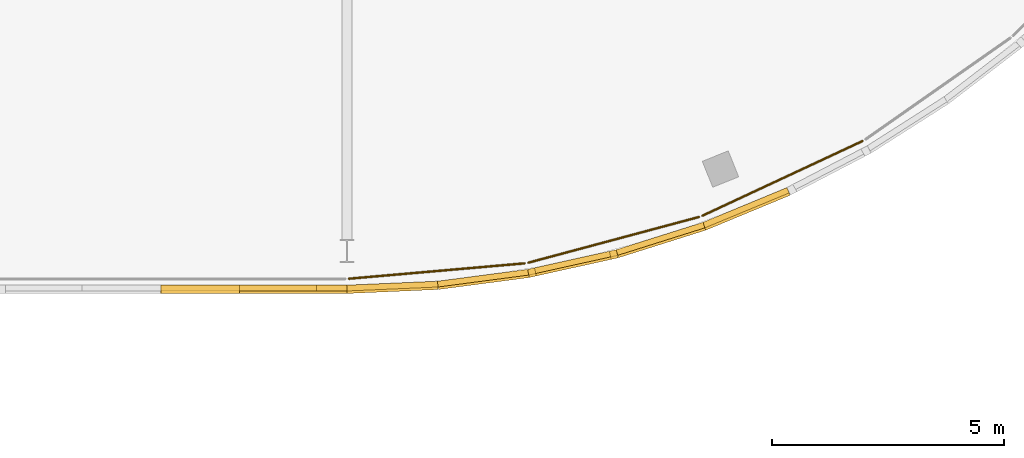
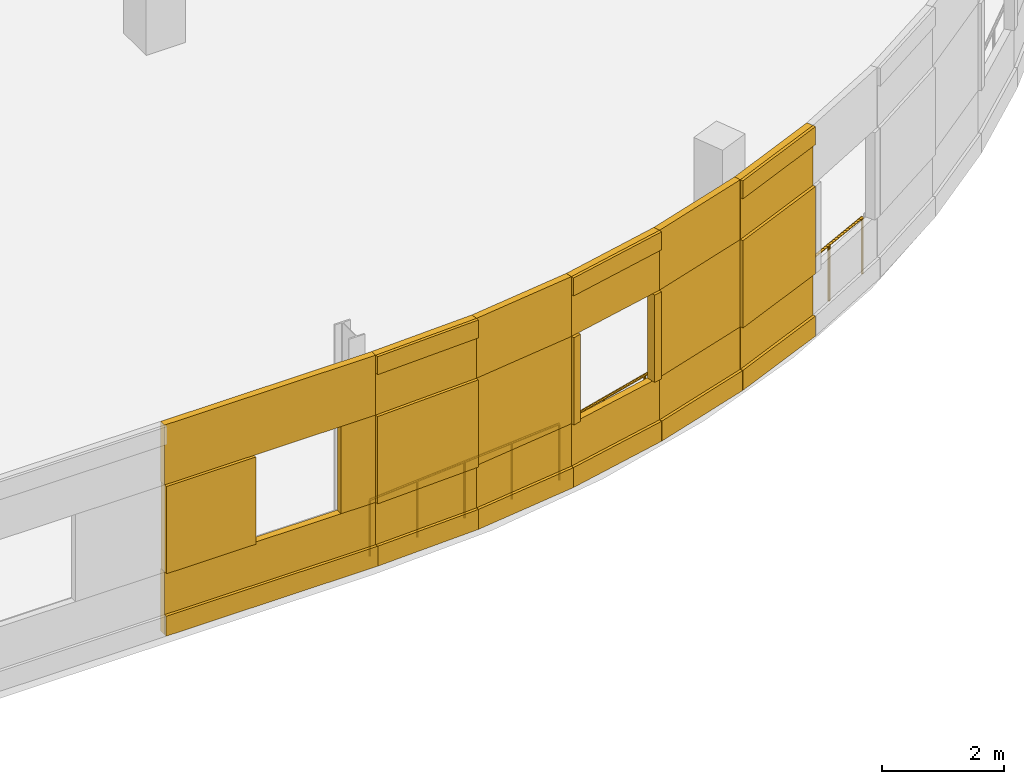
# One storey, part 82 of 88: 29 coverings, 3 railings.
"""IFC4 building model written with IfcOpenShell, lengths in metres."""

from ifc_helpers import new_model, si_unit, direction, frame, origin, origin_2d, place, context, subcontext, project, spatial, rectangle, circle, extrude, material, layer, layer_set, type_object, element, save


model = new_model("IFC4")

# Units and contexts
model_context = context("Model", 3, precision=1e-05, world=origin(), true_north=direction((0.0, 1.0)))
body_context = subcontext(model_context, "Body", "Model", "MODEL_VIEW")
ifc_project = project(units=[si_unit("LENGTHUNIT", "METRE"), si_unit("AREAUNIT", "SQUARE_METRE"), si_unit("VOLUMEUNIT", "CUBIC_METRE"), si_unit("PLANEANGLEUNIT", "RADIAN"), si_unit("MASSUNIT", "GRAM", prefix="KILO")], contexts=[model_context])

# Site, building, storey
site_placement = place(None, origin())
site = spatial("IfcSite", under=ifc_project, at=site_placement, CompositionType="ELEMENT")
building_placement = place(site_placement, origin())
building = spatial("IfcBuilding", under=site, at=building_placement, Name="Deido Ridge Mobility Hub", CompositionType="ELEMENT")
storey_placement = place(building_placement, frame((0.0, 0.0, 16.800048828125)))
storey = spatial("IfcBuildingStorey", under=building, at=storey_placement, Name="L04", CompositionType="ELEMENT", Elevation=16.800048828125)

# Coverings
ifc_material_1 = material(Name="Fired clay brick masonry", Category="masonry")
ifc_layer = layer(ifc_material_1, 0.114990234375, Name="Fired clay brick masonry")
ifc_layer_set = layer_set([ifc_layer], Name="Fired clay brick masonry")
covering_type = type_object("IfcCoveringType", Name="COV-BRK-SCREEN-115", PredefinedType="CLADDING", material=ifc_layer_set)
covering_1_placement = place(storey_placement, frame((117.978271484375, 81.09521484375, 0.0), z_axis=(0.0, 0.0, 1.0), x_axis=(0.999048982732, 0.043601950678, 0.0)))
element("IfcCovering", 1, at=covering_1_placement, inside=storey, type_object=covering_type, Name="Open brickwork spandrel course BKS1 (L04)", PredefinedType="CLADDING", context=body_context, shape_type="SweptSolid", body=[
    extrude(rectangle(XDim=1.9619140625, YDim=0.125, at=origin_2d()), origin(), (0.0, 0.0, 1.0), 1.25),
])
covering_2_placement = place(storey_placement, frame((117.9794921875, 81.067626953125, 0.0), z_axis=(0.0, 0.0, 1.0), x_axis=(0.999048982732, 0.043601950678, 0.0)))
element("IfcCovering", 2, at=covering_2_placement, inside=storey, type_object=covering_type, Name="Raised brick relief belt BKS1 (L04)", PredefinedType="CLADDING", context=body_context, shape_type="SweptSolid", body=[
    extrude(rectangle(XDim=1.9619140625, YDim=0.179931640625, at=origin_2d()), origin(), (0.0, 0.0, 1.0), 0.39990234375),
])
covering_3_placement = place(storey_placement, frame((117.978271484375, 81.09521484375, 3.0), z_axis=(0.0, 0.0, 1.0), x_axis=(0.999048982732, 0.043601950678, 0.0)))
element("IfcCovering", 3, at=covering_3_placement, inside=storey, type_object=covering_type, Name="Open brickwork lintel course BKS1 (L04)", PredefinedType="CLADDING", context=body_context, shape_type="SweptSolid", body=[
    extrude(rectangle(XDim=1.9619140625, YDim=0.125, at=origin_2d()), origin(), (0.0, 0.0, 1.0), 1.199951171875),
])
covering_4_placement = place(storey_placement, frame((117.9794921875, 81.067626953125, 3.83984375), z_axis=(0.0, 0.0, 1.0), x_axis=(0.999048982732, 0.043601950678, 0.0)))
element("IfcCovering", 4, at=covering_4_placement, inside=storey, type_object=covering_type, Name="Raised brick relief cornice BKS1 (L04)", PredefinedType="CLADDING", context=body_context, shape_type="SweptSolid", body=[
    extrude(rectangle(XDim=1.9619140625, YDim=0.179931640625, at=origin_2d()), origin(), (0.0, 0.0, 1.0), 0.360107421875),
])
covering_5_placement = place(storey_placement, frame((117.9794921875, 81.067626953125, 1.25), z_axis=(0.0, 0.0, 1.0), x_axis=(0.999048982732, 0.043601950678, 0.0)))
element("IfcCovering", 5, at=covering_5_placement, inside=storey, type_object=covering_type, Name="Curved raised brickwork pier BKS1 (L04)", PredefinedType="CLADDING", context=body_context, shape_type="SweptSolid", body=[
    extrude(rectangle(XDim=1.9619140625, YDim=0.179931640625, at=origin_2d()), origin(), (0.0, 0.0, 1.0), 1.75),
])
covering_6_placement = place(storey_placement, frame((119.92724609375, 81.265625, 0.0), z_axis=(0.0, 0.0, 1.0), x_axis=(0.991442583111, 0.130543496177, 0.0)))
element("IfcCovering", 6, at=covering_6_placement, inside=storey, type_object=covering_type, Name="Open brickwork spandrel course BKS1 (L04)", PredefinedType="CLADDING", context=body_context, shape_type="SweptSolid", body=[
    extrude(rectangle(XDim=1.9619140625, YDim=0.125, at=origin_2d()), origin(), (0.0, 0.0, 1.0), 1.25),
])
covering_7_placement = place(storey_placement, frame((119.930908203125, 81.23828125, 0.0), z_axis=(0.0, 0.0, 1.0), x_axis=(0.991442583111, 0.130543496177, 0.0)))
element("IfcCovering", 7, at=covering_7_placement, inside=storey, type_object=covering_type, Name="Raised brick relief belt BKS1 (L04)", PredefinedType="CLADDING", context=body_context, shape_type="SweptSolid", body=[
    extrude(rectangle(XDim=1.9619140625, YDim=0.179931640625, at=origin_2d()), origin(), (0.0, 0.0, 1.0), 0.39990234375),
])
covering_8_placement = place(storey_placement, frame((119.92724609375, 81.265625, 3.0), z_axis=(0.0, 0.0, 1.0), x_axis=(0.991442583111, 0.130543496177, 0.0)))
element("IfcCovering", 8, at=covering_8_placement, inside=storey, type_object=covering_type, Name="Open brickwork lintel course BKS1 (L04)", PredefinedType="CLADDING", context=body_context, shape_type="SweptSolid", body=[
    extrude(rectangle(XDim=1.9619140625, YDim=0.125, at=origin_2d()), origin(), (0.0, 0.0, 1.0), 1.199951171875),
])
covering_9_placement = place(storey_placement, frame((119.92724609375, 81.265625, 1.25), z_axis=(0.0, 0.0, 1.0), x_axis=(0.991442583111, 0.130543496177, 0.0)))
element("IfcCovering", 9, at=covering_9_placement, inside=storey, type_object=covering_type, Name="Curved raised brickwork pier BKS1 (L04)", PredefinedType="CLADDING", context=body_context, shape_type="SweptSolid", body=[
    extrude(rectangle(XDim=1.9619140625, YDim=0.125, at=origin_2d()), origin(), (0.0, 0.0, 1.0), 1.75),
])
covering_10_placement = place(storey_placement, frame((121.85400390625, 81.60546875, 0.0), z_axis=(0.0, 0.0, 1.0), x_axis=(0.976292229387, 0.216456653485, 0.0)))
element("IfcCovering", 10, at=covering_10_placement, inside=storey, type_object=covering_type, Name="Open brickwork spandrel course BKS1 (L04)", PredefinedType="CLADDING", context=body_context, shape_type="SweptSolid", body=[
    extrude(rectangle(XDim=1.9619140625, YDim=0.125, at=origin_2d()), origin(), (0.0, 0.0, 1.0), 1.25),
])
covering_11_placement = place(storey_placement, frame((121.85986328125, 81.57861328125, 0.0), z_axis=(0.0, 0.0, 1.0), x_axis=(0.976292229387, 0.216456653485, 0.0)))
element("IfcCovering", 11, at=covering_11_placement, inside=storey, type_object=covering_type, Name="Raised brick relief belt BKS1 (L04)", PredefinedType="CLADDING", context=body_context, shape_type="SweptSolid", body=[
    extrude(rectangle(XDim=1.9619140625, YDim=0.179931640625, at=origin_2d()), origin(), (0.0, 0.0, 1.0), 0.39990234375),
])
covering_12_placement = place(storey_placement, frame((121.85400390625, 81.60546875, 3.0), z_axis=(0.0, 0.0, 1.0), x_axis=(0.976292229387, 0.216456653485, 0.0)))
element("IfcCovering", 12, at=covering_12_placement, inside=storey, type_object=covering_type, Name="Open brickwork lintel course BKS1 (L04)", PredefinedType="CLADDING", context=body_context, shape_type="SweptSolid", body=[
    extrude(rectangle(XDim=1.9619140625, YDim=0.125, at=origin_2d()), origin(), (0.0, 0.0, 1.0), 1.199951171875),
])
covering_13_placement = place(storey_placement, frame((121.85986328125, 81.57861328125, 3.83984375), z_axis=(0.0, 0.0, 1.0), x_axis=(0.976292229387, 0.216456653485, 0.0)))
element("IfcCovering", 13, at=covering_13_placement, inside=storey, type_object=covering_type, Name="Raised brick relief cornice BKS1 (L04)", PredefinedType="CLADDING", context=body_context, shape_type="SweptSolid", body=[
    extrude(rectangle(XDim=1.9619140625, YDim=0.179931640625, at=origin_2d()), origin(), (0.0, 0.0, 1.0), 0.360107421875),
])
for number, where, z_axis, x_axis, name in (
    (14, (120.980224609375, 81.383544921875, 1.25), (0.0, 0.0, 1.0), (0.976292229387, 0.216456653485, 0.0), "Curved brick jamb nib BKS1 (L04)"),
    (15, (122.739501953125, 81.773681640625, 1.25), (0.0, 0.0, 1.0), (0.976292229387, 0.216456653485, 0.0), "Curved brick jamb nib BKS1 (L04)"),
):
    element("IfcCovering", number, at=place(storey_placement, frame(where, z_axis=z_axis, x_axis=x_axis)), inside=storey, type_object=covering_type, Name=name, PredefinedType="CLADDING", context=body_context, shape_type="SweptSolid", body=[
        extrude(rectangle(XDim=0.152099609375, YDim=0.179931640625, at=origin_2d()), origin(), (0.0, 0.0, 1.0), 1.75),
    ])
covering_14_placement = place(storey_placement, frame((123.74365234375, 82.11181640625, 0.0), z_axis=(0.0, 0.0, 1.0), x_axis=(0.95372744678, 0.300672508319, 0.0)))
element("IfcCovering", 16, at=covering_14_placement, inside=storey, type_object=covering_type, Name="Open brickwork spandrel course BKS1 (L04)", PredefinedType="CLADDING", context=body_context, shape_type="SweptSolid", body=[
    extrude(rectangle(XDim=1.9619140625, YDim=0.125, at=origin_2d()), origin(), (0.0, 0.0, 1.0), 1.25),
])
covering_15_placement = place(storey_placement, frame((123.751953125, 82.085693359375, 0.0), z_axis=(0.0, 0.0, 1.0), x_axis=(0.95372744678, 0.300672508319, 0.0)))
element("IfcCovering", 17, at=covering_15_placement, inside=storey, type_object=covering_type, Name="Raised brick relief belt BKS1 (L04)", PredefinedType="CLADDING", context=body_context, shape_type="SweptSolid", body=[
    extrude(rectangle(XDim=1.9619140625, YDim=0.179931640625, at=origin_2d()), origin(), (0.0, 0.0, 1.0), 0.39990234375),
])
covering_16_placement = place(storey_placement, frame((123.74365234375, 82.11181640625, 3.0), z_axis=(0.0, 0.0, 1.0), x_axis=(0.95372744678, 0.300672508319, 0.0)))
element("IfcCovering", 18, at=covering_16_placement, inside=storey, type_object=covering_type, Name="Open brickwork lintel course BKS1 (L04)", PredefinedType="CLADDING", context=body_context, shape_type="SweptSolid", body=[
    extrude(rectangle(XDim=1.9619140625, YDim=0.125, at=origin_2d()), origin(), (0.0, 0.0, 1.0), 1.199951171875),
])
covering_17_placement = place(storey_placement, frame((123.74365234375, 82.11181640625, 1.25), z_axis=(0.0, 0.0, 1.0), x_axis=(0.95372744678, 0.300672508319, 0.0)))
element("IfcCovering", 19, at=covering_17_placement, inside=storey, type_object=covering_type, Name="Curved raised brickwork pier BKS1 (L04)", PredefinedType="CLADDING", context=body_context, shape_type="SweptSolid", body=[
    extrude(rectangle(XDim=1.9619140625, YDim=0.125, at=origin_2d()), origin(), (0.0, 0.0, 1.0), 1.75),
])
covering_18_placement = place(storey_placement, frame((125.58203125, 82.781005859375, 0.0), z_axis=(0.0, 0.0, 1.0), x_axis=(0.923872853285, 0.382699557047, 0.0)))
element("IfcCovering", 20, at=covering_18_placement, inside=storey, type_object=covering_type, Name="Open brickwork spandrel course BKS1 (L04)", PredefinedType="CLADDING", context=body_context, shape_type="SweptSolid", body=[
    extrude(rectangle(XDim=1.9619140625, YDim=0.125, at=origin_2d()), origin(), (0.0, 0.0, 1.0), 1.25),
])
covering_19_placement = place(storey_placement, frame((125.5927734375, 82.755615234375, 0.0), z_axis=(0.0, 0.0, 1.0), x_axis=(0.923872853285, 0.382699557047, 0.0)))
element("IfcCovering", 21, at=covering_19_placement, inside=storey, type_object=covering_type, Name="Raised brick relief belt BKS1 (L04)", PredefinedType="CLADDING", context=body_context, shape_type="SweptSolid", body=[
    extrude(rectangle(XDim=1.9619140625, YDim=0.179931640625, at=origin_2d()), origin(), (0.0, 0.0, 1.0), 0.39990234375),
])
covering_20_placement = place(storey_placement, frame((125.58203125, 82.781005859375, 3.0), z_axis=(0.0, 0.0, 1.0), x_axis=(0.923872853285, 0.382699557047, 0.0)))
element("IfcCovering", 22, at=covering_20_placement, inside=storey, type_object=covering_type, Name="Open brickwork lintel course BKS1 (L04)", PredefinedType="CLADDING", context=body_context, shape_type="SweptSolid", body=[
    extrude(rectangle(XDim=1.9619140625, YDim=0.125, at=origin_2d()), origin(), (0.0, 0.0, 1.0), 1.199951171875),
])
covering_21_placement = place(storey_placement, frame((125.5927734375, 82.755615234375, 3.83984375), z_axis=(0.0, 0.0, 1.0), x_axis=(0.923872853285, 0.382699557047, 0.0)))
element("IfcCovering", 23, at=covering_21_placement, inside=storey, type_object=covering_type, Name="Raised brick relief cornice BKS1 (L04)", PredefinedType="CLADDING", context=body_context, shape_type="SweptSolid", body=[
    extrude(rectangle(XDim=1.9619140625, YDim=0.179931640625, at=origin_2d()), origin(), (0.0, 0.0, 1.0), 0.360107421875),
])
covering_22_placement = place(storey_placement, frame((125.5927734375, 82.755615234375, 1.25), z_axis=(0.0, 0.0, 1.0), x_axis=(0.923872853285, 0.382699557047, 0.0)))
element("IfcCovering", 24, at=covering_22_placement, inside=storey, type_object=covering_type, Name="Curved raised brickwork pier BKS1 (L04)", PredefinedType="CLADDING", context=body_context, shape_type="SweptSolid", body=[
    extrude(rectangle(XDim=1.9619140625, YDim=0.179931640625, at=origin_2d()), origin(), (0.0, 0.0, 1.0), 1.75),
])
covering_23_placement = place(storey_placement, frame((115.0, 81.052490234375, 0.0), z_axis=(0.0, 0.0, 1.0), x_axis=(1.0, 0.0, 0.0)))
element("IfcCovering", 25, at=covering_23_placement, inside=storey, type_object=covering_type, Name="Open brickwork spandrel course BKS1 (L04)", PredefinedType="CLADDING", context=body_context, shape_type="SweptSolid", body=[
    extrude(rectangle(XDim=4.01611328125, YDim=0.125, at=origin_2d()), origin(), (0.0, 0.0, 1.0), 1.25),
])
covering_24_placement = place(storey_placement, frame((115.0, 81.02490234375, 0.0), z_axis=(0.0, 0.0, 1.0), x_axis=(1.0, 0.0, 0.0)))
element("IfcCovering", 26, at=covering_24_placement, inside=storey, type_object=covering_type, Name="Raised brick relief belt BKS1 (L04)", PredefinedType="CLADDING", context=body_context, shape_type="SweptSolid", body=[
    extrude(rectangle(XDim=4.01611328125, YDim=0.179931640625, at=origin_2d()), origin(), (0.0, 0.0, 1.0), 0.39990234375),
])
covering_25_placement = place(storey_placement, frame((115.0, 81.052490234375, 3.0), z_axis=(0.0, 0.0, 1.0), x_axis=(1.0, 0.0, 0.0)))
element("IfcCovering", 27, at=covering_25_placement, inside=storey, type_object=covering_type, Name="Open brickwork lintel course BKS1 (L04)", PredefinedType="CLADDING", context=body_context, shape_type="SweptSolid", body=[
    extrude(rectangle(XDim=4.01611328125, YDim=0.125, at=origin_2d()), origin(), (0.0, 0.0, 1.0), 1.199951171875),
])
covering_26_placement = place(storey_placement, frame((113.847412109375, 81.02490234375, 1.25), z_axis=(0.0, 0.0, 1.0), x_axis=(1.0, 0.0, 0.0)))
element("IfcCovering", 28, at=covering_26_placement, inside=storey, type_object=covering_type, Name="Open brickwork pier BKS1 (L04)", PredefinedType="CLADDING", context=body_context, shape_type="SweptSolid", body=[
    extrude(rectangle(XDim=1.695068359375, YDim=0.179931640625, at=origin_2d()), origin(), (0.0, 0.0, 1.0), 1.75),
])
covering_27_placement = place(storey_placement, frame((116.672607421875, 81.052490234375, 1.25), z_axis=(0.0, 0.0, 1.0), x_axis=(1.0, 0.0, 0.0)))
element("IfcCovering", 29, at=covering_27_placement, inside=storey, type_object=covering_type, Name="Open brickwork pier BKS1 (L04)", PredefinedType="CLADDING", context=body_context, shape_type="SweptSolid", body=[
    extrude(rectangle(XDim=0.655029296875, YDim=0.125, at=origin_2d()), origin(), (0.0, 0.0, 1.0), 1.75),
])

# Railings
ifc_material_2 = material(Name="Galvanised steel work", Category="steel")
railing_type = type_object("IfcRailingType", Name="RL-GRD-EXT-1150", PredefinedType="GUARDRAIL", material=ifc_material_2)
railing_1_placement = place(storey_placement, frame((117.039794921875, 81.25341796875, 0.0)))
element("IfcRailing", 30, at=railing_1_placement, inside=storey, type_object=railing_type, Name="Parking drum perimeter guard (L04)", PredefinedType="GUARDRAIL", context=body_context, shape_type="SweptSolid", body=[
    extrude(circle(Radius=0.02392578125, at=origin_2d()), frame((0.0, 0.0, 1.1259765625), z_axis=(0.996195112607, 0.08715100469, 0.0), x_axis=(-0.08715100469, 0.996195112607, 0.0)), (0.0, 0.0, 1.0), 3.798583984375),
    extrude(circle(Radius=0.02099609375, at=origin_2d()), origin(), (0.0, 0.0, 1.0), 1.101806640625),
    extrude(circle(Radius=0.02099609375, at=origin_2d()), frame((0.946044921875, 0.082763671875, 0.0)), (0.0, 0.0, 1.0), 1.101806640625),
    extrude(circle(Radius=0.02099609375, at=origin_2d()), frame((1.89208984375, 0.16552734375, 0.0)), (0.0, 0.0, 1.0), 1.101806640625),
    extrude(circle(Radius=0.02099609375, at=origin_2d()), frame((2.838134765625, 0.248291015625, 0.0)), (0.0, 0.0, 1.0), 1.101806640625),
    extrude(circle(Radius=0.02099609375, at=origin_2d()), frame((3.7841796875, 0.3310546875, 0.0)), (0.0, 0.0, 1.0), 1.101806640625),
])
railing_2_placement = place(storey_placement, frame((120.90234375, 81.598388671875, 0.0)))
element("IfcRailing", 31, at=railing_2_placement, inside=storey, type_object=railing_type, Name="Parking drum perimeter guard (L04)", PredefinedType="GUARDRAIL", context=body_context, shape_type="SweptSolid", body=[
    extrude(circle(Radius=0.02392578125, at=origin_2d()), frame((0.0, 0.0, 1.1259765625), z_axis=(0.965937723757, 0.258774639064, 0.0), x_axis=(-0.258774639064, 0.965937723757, 0.0)), (0.0, 0.0, 1.0), 3.79833984375),
    extrude(circle(Radius=0.02099609375, at=origin_2d()), origin(), (0.0, 0.0, 1.0), 1.101806640625),
    extrude(circle(Radius=0.02099609375, at=origin_2d()), frame((0.917236328125, 0.24560546875, 0.0)), (0.0, 0.0, 1.0), 1.101806640625),
    extrude(circle(Radius=0.02099609375, at=origin_2d()), frame((1.83447265625, 0.491455078125, 0.0)), (0.0, 0.0, 1.0), 1.101806640625),
    extrude(circle(Radius=0.02099609375, at=origin_2d()), frame((2.751708984375, 0.7373046875, 0.0)), (0.0, 0.0, 1.0), 1.101806640625),
    extrude(circle(Radius=0.02099609375, at=origin_2d()), frame((3.6689453125, 0.98291015625, 0.0)), (0.0, 0.0, 1.0), 1.101806640625),
])
railing_3_placement = place(storey_placement, frame((124.646240234375, 82.608642578125, 0.0)))
element("IfcRailing", 32, at=railing_3_placement, inside=storey, type_object=railing_type, Name="Parking drum perimeter guard (L04)", PredefinedType="GUARDRAIL", context=body_context, shape_type="SweptSolid", body=[
    extrude(circle(Radius=0.02392578125, at=origin_2d()), frame((0.0, 0.0, 1.1259765625), z_axis=(0.906281639574, 0.422674330627, 0.0), x_axis=(-0.422674330627, 0.906281639574, 0.0)), (0.0, 0.0, 1.0), 3.79833984375),
    extrude(circle(Radius=0.02099609375, at=origin_2d()), origin(), (0.0, 0.0, 1.0), 1.101806640625),
    extrude(circle(Radius=0.02099609375, at=origin_2d()), frame((0.860595703125, 0.4013671875, 0.0)), (0.0, 0.0, 1.0), 1.101806640625),
    extrude(circle(Radius=0.02099609375, at=origin_2d()), frame((1.72119140625, 0.802734375, 0.0)), (0.0, 0.0, 1.0), 1.101806640625),
    extrude(circle(Radius=0.02099609375, at=origin_2d()), frame((2.581787109375, 1.2041015625, 0.0)), (0.0, 0.0, 1.0), 1.101806640625),
    extrude(circle(Radius=0.02099609375, at=origin_2d()), frame((3.4423828125, 1.60546875, 0.0)), (0.0, 0.0, 1.0), 1.101806640625),
])

save(model, "model.ifc")
